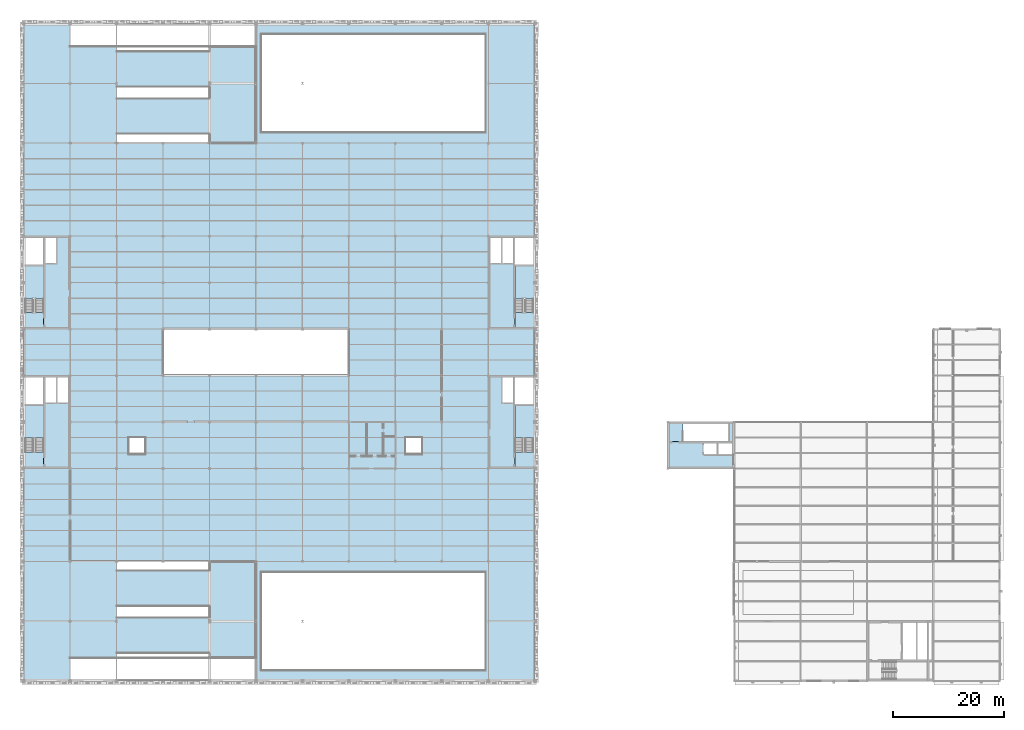
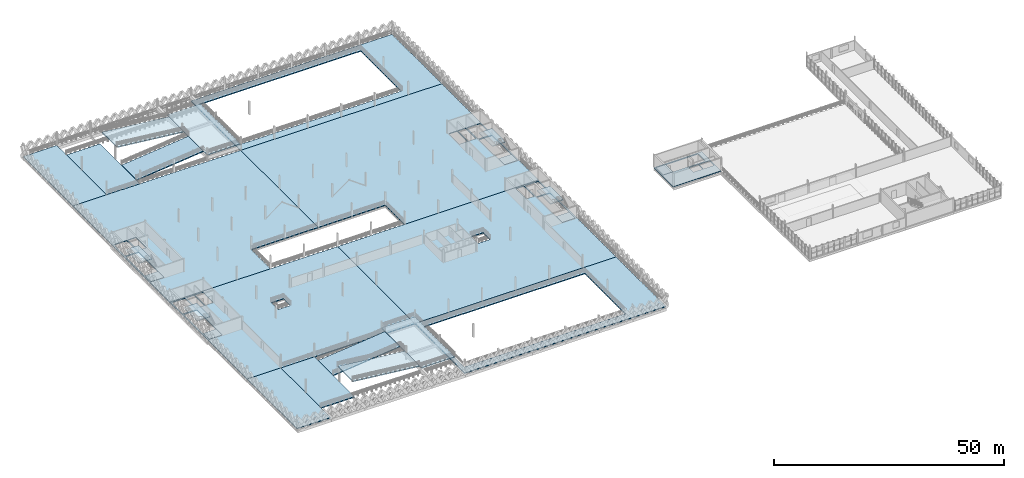
# One storey, part 47 of 74: 26 slabs, 4 elements without a shape of their own.
"""IFC4 building model written with IfcOpenShell, lengths in metres."""

from ifc_helpers import new_model, si_unit, direction, frame, origin, place, context, subcontext, project, spatial, polyline, outline, extrude, material, layer, layer_set, type_object, element, aggregate, save


model = new_model("IFC4")

# Units and contexts
model_context = context("Model", 3, precision=1e-05, world=origin(), true_north=direction((0.0, 1.0)))
body_context = subcontext(model_context, "Body", "Model", "MODEL_VIEW")
ifc_project = project(units=[si_unit("LENGTHUNIT", "METRE"), si_unit("AREAUNIT", "SQUARE_METRE"), si_unit("VOLUMEUNIT", "CUBIC_METRE"), si_unit("PLANEANGLEUNIT", "RADIAN"), si_unit("MASSUNIT", "GRAM", prefix="KILO"), si_unit("THERMODYNAMICTEMPERATUREUNIT", "KELVIN"), si_unit("POWERUNIT", "WATT")], contexts=[model_context])

# Site, building, storey
site_placement = place(None, origin())
site = spatial("IfcSite", under=ifc_project, at=site_placement, CompositionType="ELEMENT")
building_placement = place(site_placement, origin())
building = spatial("IfcBuilding", under=site, at=building_placement, Name="Tembeka Court Mobility Hub", CompositionType="ELEMENT")
storey_placement = place(building_placement, frame((0.0, 0.0, 12.60009765625)))
storey = spatial("IfcBuildingStorey", under=building, at=storey_placement, Name="L03", CompositionType="ELEMENT", Elevation=12.60009765625)

# Slabs
ifc_material = material(Name="Concrete C40/50", Category="concrete")
ifc_layer_1 = layer(ifc_material, 0.219970703125)
ifc_layer_set_1 = layer_set([ifc_layer_1], Name="Concrete C40/50")
slab_type_1 = type_object("IfcSlabType", Name="SL-FL02", PredefinedType="FLOOR", material=ifc_layer_set_1)
slab_1_placement = place(storey_placement, frame((0.0, 0.0, -0.22021484375)))
element("IfcSlab", 1, at=slab_1_placement, inside=storey, type_object=slab_type_1, Name="L03 ramped EV parking deck (V1SW)", PredefinedType="FLOOR", context=body_context, shape_type="SweptSolid", body=[
    extrude(outline(polyline([(0.0, 21.60009765625), (42.0, 21.60009765625), (42.0, 55.199951171875), (0.0, 55.199951171875), (0.0, 21.60009765625)]), holes=[polyline([(0.300048828125, 49.75), (3.60009765625, 49.75), (3.60009765625, 38.699951171875), (0.300048828125, 38.699951171875), (0.300048828125, 49.75)]), polyline([(3.89990234375, 54.89990234375), (5.89990234375, 54.89990234375), (5.89990234375, 50.35009765625), (3.89990234375, 50.35009765625), (3.89990234375, 54.89990234375)]), polyline([(6.10009765625, 54.89990234375), (8.10009765625, 54.89990234375), (8.10009765625, 50.35009765625), (6.10009765625, 50.35009765625), (6.10009765625, 54.89990234375)]), polyline([(0.300048828125, 54.89990234375), (3.60009765625, 54.89990234375), (3.60009765625, 50.050048828125), (0.300048828125, 50.050048828125), (0.300048828125, 54.89990234375)]), polyline([(19.0, 44.0), (22.0, 44.0), (22.0, 41.0), (19.0, 41.0), (19.0, 44.0)])]), origin(), (0.0, 0.0, 1.0), 0.22021484375),
])
slab_2_placement = place(storey_placement, frame((0.0, 0.0, -0.22021484375)))
element("IfcSlab", 2, at=slab_2_placement, inside=storey, type_object=slab_type_1, Name="L03 ramped EV parking deck (V1NW)", PredefinedType="FLOOR", context=body_context, shape_type="SweptSolid", body=[
    extrude(outline(polyline([(0.0, 55.199951171875), (25.199951171875, 55.199951171875), (25.199951171875, 63.60009765625), (42.0, 63.60009765625), (42.0, 97.199951171875), (0.0, 97.199951171875), (0.0, 55.199951171875)]), holes=[polyline([(0.300048828125, 74.949951171875), (3.60009765625, 74.949951171875), (3.60009765625, 63.89990234375), (0.300048828125, 63.89990234375), (0.300048828125, 74.949951171875)]), polyline([(3.89990234375, 80.10009765625), (5.89990234375, 80.10009765625), (5.89990234375, 75.550048828125), (3.89990234375, 75.550048828125), (3.89990234375, 80.10009765625)]), polyline([(0.300048828125, 80.10009765625), (3.60009765625, 80.10009765625), (3.60009765625, 75.25), (0.300048828125, 75.25), (0.300048828125, 80.10009765625)])]), origin(), (0.0, 0.0, 1.0), 0.22021484375),
])
slab_3_placement = place(storey_placement, frame((0.0, 0.0, -0.22021484375)))
element("IfcSlab", 3, at=slab_3_placement, inside=storey, type_object=slab_type_1, Name="L03 ramped EV parking deck (V1SE)", PredefinedType="FLOOR", context=body_context, shape_type="SweptSolid", body=[
    extrude(outline(polyline([(42.0, 21.60009765625), (92.39990234375, 21.60009765625), (92.39990234375, 55.199951171875), (42.0, 55.199951171875), (42.0, 21.60009765625)]), holes=[polyline([(88.800048828125, 49.75), (92.10009765625, 49.75), (92.10009765625, 38.699951171875), (88.800048828125, 38.699951171875), (88.800048828125, 49.75)]), polyline([(86.5, 54.89990234375), (88.5, 54.89990234375), (88.5, 50.35009765625), (86.5, 50.35009765625), (86.5, 54.89990234375)]), polyline([(88.800048828125, 54.89990234375), (92.10009765625, 54.89990234375), (92.10009765625, 50.050048828125), (88.800048828125, 50.050048828125), (88.800048828125, 54.89990234375)]), polyline([(69.0, 44.0), (72.0, 44.0), (72.0, 41.0), (69.0, 41.0), (69.0, 44.0)])]), origin(), (0.0, 0.0, 1.0), 0.22021484375),
])
slab_4_placement = place(storey_placement, frame((0.0, 0.0, -0.22021484375)))
element("IfcSlab", 4, at=slab_4_placement, inside=storey, type_object=slab_type_1, Name="L03 ramped EV parking deck (V1NE)", PredefinedType="FLOOR", context=body_context, shape_type="SweptSolid", body=[
    extrude(outline(polyline([(42.0, 63.60009765625), (58.800048828125, 63.60009765625), (58.800048828125, 55.199951171875), (92.39990234375, 55.199951171875), (92.39990234375, 97.199951171875), (42.0, 97.199951171875), (42.0, 63.60009765625)]), holes=[polyline([(88.800048828125, 74.949951171875), (92.10009765625, 74.949951171875), (92.10009765625, 63.89990234375), (88.800048828125, 63.89990234375), (88.800048828125, 74.949951171875)]), polyline([(84.300048828125, 80.10009765625), (86.300048828125, 80.10009765625), (86.300048828125, 75.550048828125), (84.300048828125, 75.550048828125), (84.300048828125, 80.10009765625)]), polyline([(86.5, 80.10009765625), (88.5, 80.10009765625), (88.5, 75.550048828125), (86.5, 75.550048828125), (86.5, 80.10009765625)]), polyline([(88.800048828125, 80.10009765625), (92.10009765625, 80.10009765625), (92.10009765625, 75.25), (88.800048828125, 75.25), (88.800048828125, 80.10009765625)])]), origin(), (0.0, 0.0, 1.0), 0.22021484375),
])
slab_5_placement = place(storey_placement, frame((0.0, 0.0, -0.22021484375)))
element("IfcSlab", 5, at=slab_5_placement, inside=storey, type_object=slab_type_1, Name="L03 South-West ramp perimeter deck", PredefinedType="FLOOR", context=body_context, shape_type="SweptSolid", body=[
    extrude(outline(polyline([(0.0, 0.0), (8.39990234375, 0.0), (8.39990234375, 21.60009765625), (0.0, 21.60009765625), (0.0, 0.0)])), origin(), (0.0, 0.0, 1.0), 0.22021484375),
])
slab_6_placement = place(storey_placement, frame((0.0, 0.0, -0.22021484375)))
element("IfcSlab", 6, at=slab_6_placement, inside=storey, type_object=slab_type_1, Name="L03 North-West ramp perimeter deck", PredefinedType="FLOOR", context=body_context, shape_type="SweptSolid", body=[
    extrude(outline(polyline([(0.0, 97.199951171875), (8.39990234375, 97.199951171875), (8.39990234375, 118.800048828125), (0.0, 118.800048828125), (0.0, 97.199951171875)])), origin(), (0.0, 0.0, 1.0), 0.22021484375),
])
slab_7_placement = place(storey_placement, frame((0.0, 0.0, -0.22021484375)))
element("IfcSlab", 7, at=slab_7_placement, inside=storey, type_object=slab_type_1, Name="L03 South-East EV deck", PredefinedType="FLOOR", context=body_context, shape_type="SweptSolid", body=[
    extrude(outline(polyline([(42.0, 0.0), (92.39990234375, 0.0), (92.39990234375, 21.60009765625), (42.0, 21.60009765625), (42.0, 0.0)]), holes=[polyline([(43.0, 19.60009765625), (83.39990234375, 19.60009765625), (83.39990234375, 2.0), (43.0, 2.0), (43.0, 19.60009765625)])]), origin(), (0.0, 0.0, 1.0), 0.22021484375),
])
slab_8_placement = place(storey_placement, frame((0.0, 0.0, -0.22021484375)))
element("IfcSlab", 8, at=slab_8_placement, inside=storey, type_object=slab_type_1, Name="L03 North-East EV deck", PredefinedType="FLOOR", context=body_context, shape_type="SweptSolid", body=[
    extrude(outline(polyline([(42.0, 97.199951171875), (92.39990234375, 97.199951171875), (92.39990234375, 118.800048828125), (42.0, 118.800048828125), (42.0, 97.199951171875)]), holes=[polyline([(43.0, 116.800048828125), (83.39990234375, 116.800048828125), (83.39990234375, 99.199951171875), (43.0, 99.199951171875), (43.0, 116.800048828125)])]), origin(), (0.0, 0.0, 1.0), 0.22021484375),
])
ifc_layer_2 = layer(ifc_material, 0.18994140625)
ifc_layer_set_2 = layer_set([ifc_layer_2], Name="Concrete C40/50")
slab_type_2 = type_object("IfcSlabType", Name="SL-FL03", PredefinedType="FLOOR", material=ifc_layer_set_2)
slab_9_placement = place(storey_placement, frame((0.0, 0.0, -0.190185546875)))
element("IfcSlab", 9, at=slab_9_placement, inside=storey, type_object=slab_type_2, Name="L03 Core K5 roof-garden lobby slab", PredefinedType="FLOOR", context=body_context, shape_type="SweptSolid", body=[
    extrude(outline(polyline([(116.39990234375, 38.39990234375), (128.39990234375, 38.39990234375), (128.39990234375, 46.800048828125), (116.39990234375, 46.800048828125), (116.39990234375, 38.39990234375)]), holes=[polyline([(116.699951171875, 46.5), (127.300048828125, 46.5), (127.300048828125, 43.300048828125), (116.699951171875, 43.300048828125), (116.699951171875, 46.5)]), polyline([(122.89990234375, 43.0), (125.300048828125, 43.0), (125.300048828125, 40.949951171875), (122.89990234375, 40.949951171875), (122.89990234375, 43.0)]), polyline([(125.5, 43.0), (128.10009765625, 43.0), (128.10009765625, 40.949951171875), (125.5, 40.949951171875), (125.5, 43.0)])]), origin(), (0.0, 0.0, 1.0), 0.190185546875),
])
ifc_layer_3 = layer(ifc_material, 0.199951171875)
ifc_layer_set_3 = layer_set([ifc_layer_3], Name="Concrete C40/50")
slab_type_3 = type_object("IfcSlabType", Name="SL-LD01", PredefinedType="LANDING", material=ifc_layer_set_3)
slab_10_placement = place(storey_placement, frame((0.0, 0.0, -0.25)))
element("IfcSlab", 10, at=slab_10_placement, inside=storey, type_object=slab_type_3, Name="Car park vehicle ramp North R1 L03 west landing", PredefinedType="LANDING", context=body_context, shape_type="SweptSolid", body=[
    extrude(outline(polyline([(8.39990234375, 97.199951171875), (16.800048828125, 97.199951171875), (16.800048828125, 114.60009765625), (8.39990234375, 114.60009765625), (8.39990234375, 97.199951171875)])), origin(), (0.0, 0.0, 1.0), 0.25),
])
slab_11_placement = place(storey_placement, frame((0.0, 0.0, 1.5498046875)))
element("IfcSlab", 11, at=slab_11_placement, inside=storey, type_object=slab_type_3, Name="Car park vehicle ramp North R1 L03 half landing", PredefinedType="LANDING", context=body_context, shape_type="SweptSolid", body=[
    extrude(outline(polyline([(33.60009765625, 97.199951171875), (42.0, 97.199951171875), (42.0, 114.60009765625), (33.60009765625, 114.60009765625), (33.60009765625, 97.199951171875)])), origin(), (0.0, 0.0, 1.0), 0.25),
])
slab_12_placement = place(storey_placement, frame((0.0, 0.0, -0.25)))
element("IfcSlab", 12, at=slab_12_placement, inside=storey, type_object=slab_type_3, Name="Car park vehicle ramp South R2 L03 west landing", PredefinedType="LANDING", context=body_context, shape_type="SweptSolid", body=[
    extrude(outline(polyline([(8.39990234375, 4.199951171875), (16.800048828125, 4.199951171875), (16.800048828125, 21.60009765625), (8.39990234375, 21.60009765625), (8.39990234375, 4.199951171875)])), origin(), (0.0, 0.0, 1.0), 0.25),
])
slab_13_placement = place(storey_placement, frame((0.0, 0.0, 1.5498046875)))
element("IfcSlab", 13, at=slab_13_placement, inside=storey, type_object=slab_type_3, Name="Car park vehicle ramp South R2 L03 half landing", PredefinedType="LANDING", context=body_context, shape_type="SweptSolid", body=[
    extrude(outline(polyline([(33.60009765625, 4.199951171875), (42.0, 4.199951171875), (42.0, 21.60009765625), (33.60009765625, 21.60009765625), (33.60009765625, 4.199951171875)])), origin(), (0.0, 0.0, 1.0), 0.25),
])
slab_14_placement = place(storey_placement, frame((0.0, 0.0, -0.25)))
element("IfcSlab", 14, at=slab_14_placement, inside=storey, type_object=slab_type_3, Name="Stair ST01 L03 floor landing slab", PredefinedType="LANDING", context=body_context, shape_type="SweptSolid", body=[
    extrude(outline(polyline([(0.300048828125, 38.699951171875), (3.60009765625, 38.699951171875), (3.60009765625, 41.35009765625), (0.300048828125, 41.35009765625), (0.300048828125, 38.699951171875)])), origin(), (0.0, 0.0, 1.0), 0.25),
])

# Stair, slab
stair_type_1 = type_object("IfcStairType", Name="STR-ST01L03", PredefinedType="HALF_TURN_STAIR", material=ifc_material)
stair_1_placement = place(storey_placement, origin())
stair_1 = element("IfcStair", 15, at=stair_1_placement, inside=storey, type_object=stair_type_1, Name="Protected exit stair ST01 (L03)", PredefinedType="HALF_TURN_STAIR")
slab_15_placement = place(storey_placement, frame((0.0, 0.0, 1.599853515625)))
slab_15 = element("IfcSlab", 16, at=slab_15_placement, type_object=slab_type_3, Name="ST01L03 landing 1", PredefinedType="LANDING", context=body_context, shape_type="SweptSolid", body=[
    extrude(outline(polyline([(3.60009765625, 43.8701171875), (3.60009765625, 49.75), (0.300048828125, 49.75), (0.300048828125, 43.8701171875), (3.60009765625, 43.8701171875)])), origin(), (0.0, 0.0, 1.0), 0.199951171875),
])
aggregate(stair_1, [slab_15])

# Slab
slab_16_placement = place(storey_placement, frame((0.0, 0.0, -0.25)))
element("IfcSlab", 17, at=slab_16_placement, inside=storey, type_object=slab_type_3, Name="Stair ST02 L03 floor landing slab", PredefinedType="LANDING", context=body_context, shape_type="SweptSolid", body=[
    extrude(outline(polyline([(88.800048828125, 63.89990234375), (92.10009765625, 63.89990234375), (92.10009765625, 66.550048828125), (88.800048828125, 66.550048828125), (88.800048828125, 63.89990234375)])), origin(), (0.0, 0.0, 1.0), 0.25),
])

# Stair, slab
stair_type_2 = type_object("IfcStairType", Name="STR-ST02L03", PredefinedType="HALF_TURN_STAIR", material=ifc_material)
stair_2_placement = place(storey_placement, origin())
stair_2 = element("IfcStair", 18, at=stair_2_placement, inside=storey, type_object=stair_type_2, Name="Protected exit stair ST02 (L03)", PredefinedType="HALF_TURN_STAIR")
slab_17_placement = place(storey_placement, frame((0.0, 0.0, 1.599853515625)))
slab_17 = element("IfcSlab", 19, at=slab_17_placement, type_object=slab_type_3, Name="ST02L03 landing 1", PredefinedType="LANDING", context=body_context, shape_type="SweptSolid", body=[
    extrude(outline(polyline([(92.10009765625, 69.070068359375), (92.10009765625, 74.949951171875), (88.800048828125, 74.949951171875), (88.800048828125, 69.070068359375), (92.10009765625, 69.070068359375)])), origin(), (0.0, 0.0, 1.0), 0.199951171875),
])
aggregate(stair_2, [slab_17])

# Slab
slab_18_placement = place(storey_placement, frame((0.0, 0.0, -0.25)))
element("IfcSlab", 20, at=slab_18_placement, inside=storey, type_object=slab_type_3, Name="Stair ST03 L03 floor landing slab", PredefinedType="LANDING", context=body_context, shape_type="SweptSolid", body=[
    extrude(outline(polyline([(0.300048828125, 63.89990234375), (3.60009765625, 63.89990234375), (3.60009765625, 66.550048828125), (0.300048828125, 66.550048828125), (0.300048828125, 63.89990234375)])), origin(), (0.0, 0.0, 1.0), 0.25),
])

# Stair, slab
stair_type_3 = type_object("IfcStairType", Name="STR-ST03L03", PredefinedType="HALF_TURN_STAIR", material=ifc_material)
stair_3_placement = place(storey_placement, origin())
stair_3 = element("IfcStair", 21, at=stair_3_placement, inside=storey, type_object=stair_type_3, Name="Protected exit stair ST03 (L03)", PredefinedType="HALF_TURN_STAIR")
slab_19_placement = place(storey_placement, frame((0.0, 0.0, 1.599853515625)))
slab_19 = element("IfcSlab", 22, at=slab_19_placement, type_object=slab_type_3, Name="ST03L03 landing 1", PredefinedType="LANDING", context=body_context, shape_type="SweptSolid", body=[
    extrude(outline(polyline([(3.60009765625, 69.070068359375), (3.60009765625, 74.949951171875), (0.300048828125, 74.949951171875), (0.300048828125, 69.070068359375), (3.60009765625, 69.070068359375)])), origin(), (0.0, 0.0, 1.0), 0.199951171875),
])
aggregate(stair_3, [slab_19])

# Slab
slab_20_placement = place(storey_placement, frame((0.0, 0.0, -0.25)))
element("IfcSlab", 23, at=slab_20_placement, inside=storey, type_object=slab_type_3, Name="Stair ST04 L03 floor landing slab", PredefinedType="LANDING", context=body_context, shape_type="SweptSolid", body=[
    extrude(outline(polyline([(88.800048828125, 38.699951171875), (92.10009765625, 38.699951171875), (92.10009765625, 41.35009765625), (88.800048828125, 41.35009765625), (88.800048828125, 38.699951171875)])), origin(), (0.0, 0.0, 1.0), 0.25),
])

# Stair, slab
stair_type_4 = type_object("IfcStairType", Name="STR-ST04L03", PredefinedType="HALF_TURN_STAIR", material=ifc_material)
stair_4_placement = place(storey_placement, origin())
stair_4 = element("IfcStair", 24, at=stair_4_placement, inside=storey, type_object=stair_type_4, Name="Protected exit stair ST04 (L03)", PredefinedType="HALF_TURN_STAIR")
slab_21_placement = place(storey_placement, frame((0.0, 0.0, 1.599853515625)))
slab_21 = element("IfcSlab", 25, at=slab_21_placement, type_object=slab_type_3, Name="ST04L03 landing 1", PredefinedType="LANDING", context=body_context, shape_type="SweptSolid", body=[
    extrude(outline(polyline([(92.10009765625, 43.8701171875), (92.10009765625, 49.75), (88.800048828125, 49.75), (88.800048828125, 43.8701171875), (92.10009765625, 43.8701171875)])), origin(), (0.0, 0.0, 1.0), 0.199951171875),
])
aggregate(stair_4, [slab_21])

# Slabs
slab_22_placement = place(storey_placement, frame((0.0, 0.0, -0.25)))
element("IfcSlab", 26, at=slab_22_placement, inside=storey, type_object=slab_type_3, Name="Stair ST05 L03 floor landing slab", PredefinedType="LANDING", context=body_context, shape_type="SweptSolid", body=[
    extrude(outline(polyline([(116.699951171875, 43.300048828125), (119.14990234375, 43.300048828125), (119.14990234375, 46.5), (116.699951171875, 46.5), (116.699951171875, 43.300048828125)])), origin(), (0.0, 0.0, 1.0), 0.25),
])
ifc_layer_4 = layer(ifc_material, 0.235107421875)
ifc_layer_set_4 = layer_set([ifc_layer_4], Name="Concrete C40/50")
slab_type_4 = type_object("IfcSlabType", Name="SL-RP01", PredefinedType="FLOOR", material=ifc_layer_set_4)
slab_23_placement = place(storey_placement, frame((16.840087890625, 98.800048828125, 0.0), z_axis=(-0.107025729495, 0.0, 0.994256251288), x_axis=(0.994256251288, 0.0, 0.107025729495)))
element("IfcSlab", 27, at=slab_23_placement, inside=storey, type_object=slab_type_4, Name="Car park vehicle ramp North R1 L03 structural ramp slab 1", PredefinedType="FLOOR", context=body_context, shape_type="SweptSolid", body=[
    extrude(outline(polyline([(0.0, 0.0), (16.816560802569153, 0.0), (16.816560802569153, 6.5), (0.0, 6.5), (0.0, 0.0)])), origin(), (0.0, 0.0, -1.0), 0.235107421875),
])
slab_24_placement = place(storey_placement, frame((33.56005859375, 107.300048828125, 1.7998046875), z_axis=(0.107040081036, 0.0, 0.994254706326), x_axis=(-0.994254706326, 0.0, 0.107040081036)))
element("IfcSlab", 28, at=slab_24_placement, inside=storey, type_object=slab_type_4, Name="Car park vehicle ramp North R1 L03 structural ramp slab 2", PredefinedType="FLOOR", context=body_context, shape_type="SweptSolid", body=[
    extrude(outline(polyline([(0.0, 0.0), (16.816586933649543, 0.0), (16.816586933649543, -6.5), (0.0, -6.5), (0.0, 0.0)])), origin(), (0.0, 0.0, -1.0), 0.235107421875),
])
slab_25_placement = place(storey_placement, frame((16.840087890625, 13.5, 0.0), z_axis=(-0.107025729495, 0.0, 0.994256251288), x_axis=(0.994256251288, 0.0, 0.107025729495)))
element("IfcSlab", 29, at=slab_25_placement, inside=storey, type_object=slab_type_4, Name="Car park vehicle ramp South R2 L03 structural ramp slab 1", PredefinedType="FLOOR", context=body_context, shape_type="SweptSolid", body=[
    extrude(outline(polyline([(0.0, 0.0), (16.816560802569153, 0.0), (16.816560802569153, 6.5), (0.0, 6.5), (0.0, 0.0)])), origin(), (0.0, 0.0, -1.0), 0.235107421875),
])
slab_26_placement = place(storey_placement, frame((33.56005859375, 5.0, 1.7998046875), z_axis=(0.107040081036, 0.0, 0.994254706326), x_axis=(-0.994254706326, 0.0, 0.107040081036)))
element("IfcSlab", 30, at=slab_26_placement, inside=storey, type_object=slab_type_4, Name="Car park vehicle ramp South R2 L03 structural ramp slab 2", PredefinedType="FLOOR", context=body_context, shape_type="SweptSolid", body=[
    extrude(outline(polyline([(0.0, 0.0), (16.816586933649543, 0.0), (16.816586933649543, -6.5), (0.0, -6.5), (0.0, 0.0)])), origin(), (0.0, 0.0, -1.0), 0.235107421875),
])

save(model, "model.ifc")
